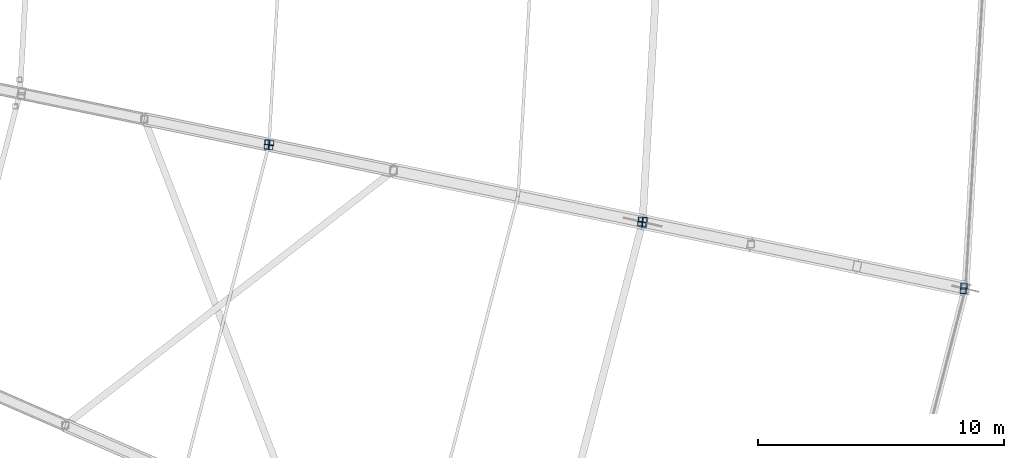
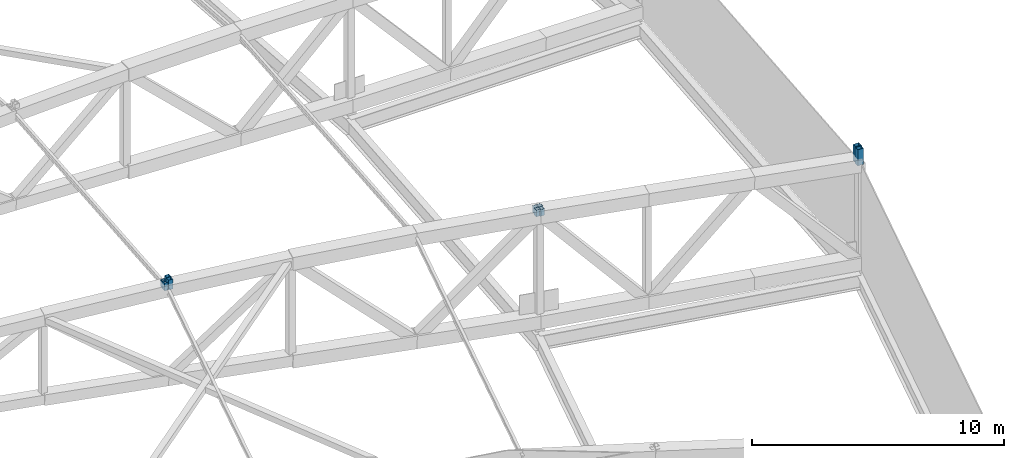
# One storey, part 119 of 162: 10 members.
"""IFC4 building model written with IfcOpenShell, lengths in metres."""

from ifc_helpers import new_model, si_unit, direction, frame, origin, origin_2d, place, context, subcontext, project, spatial, hollow_rectangle, extrude, material, material_profile, profile_set, type_object, element, save


model = new_model("IFC4")

# Units and contexts
model_context = context("Model", 3, precision=1e-05, world=origin(), true_north=direction((0.0, 1.0)))
body_context = subcontext(model_context, "Body", "Model", "MODEL_VIEW")
ifc_project = project(units=[si_unit("LENGTHUNIT", "METRE"), si_unit("AREAUNIT", "SQUARE_METRE"), si_unit("VOLUMEUNIT", "CUBIC_METRE"), si_unit("PLANEANGLEUNIT", "RADIAN"), si_unit("MASSUNIT", "GRAM", prefix="KILO")], contexts=[model_context])

# Site, building, storey
site_placement = place(None, origin())
site = spatial("IfcSite", under=ifc_project, at=site_placement, CompositionType="ELEMENT")
building_placement = place(site_placement, origin())
building = spatial("IfcBuilding", under=site, at=building_placement, Name="Kazemori Nagisa Stadium", CompositionType="ELEMENT")
storey_placement = place(building_placement, frame((0.0, 0.0, 36.719970703125)))
storey = spatial("IfcBuildingStorey", under=building, at=storey_placement, Name="RF", CompositionType="ELEMENT", Elevation=36.719970703125)

# Members
ifc_material = material(Name="Steel STKR490", Category="steel")
ifc_material_profile_1 = material_profile(ifc_material, hollow_rectangle(XDim=0.25, YDim=0.25, WallThickness=0.011962890625, at=origin_2d()), Name="SHS-250x250x12")
ifc_profile_set_1 = profile_set([ifc_material_profile_1], Name="Steel STKR490")
member_type_1 = type_object("IfcMemberType", Name="Member_ST-SHS250", PredefinedType="STUD", material=ifc_profile_set_1)
for number, where, z_axis, x_axis, name in (
    (1, (216.789794921875, 82.524169921875, 5.10009765625), (0.0, 0.0, 1.0), (1.0, 0.0, 0.0), "Canopy bearing stool B27-outer-2"),
    (2, (216.8203125, 82.7060546875, 5.10009765625), (0.0, 0.0, 1.0), (1.0, 0.0, 0.0), "Canopy bearing stool B28-outer-1"),
):
    element("IfcMember", number, at=place(storey_placement, frame(where, z_axis=z_axis, x_axis=x_axis)), inside=storey, type_object=member_type_1, Name=name, PredefinedType="STUD", context=body_context, shape_type="SweptSolid", body=[
        extrude(hollow_rectangle(XDim=0.25, YDim=0.25, WallThickness=0.011962890625, at=origin_2d()), origin(), (0.0, 0.0, 1.0), 0.77490234375),
    ])
ifc_material_profile_2 = material_profile(ifc_material, hollow_rectangle(XDim=0.199951171875, YDim=0.199951171875, WallThickness=0.009033203125, at=origin_2d()), Name="SHS-200x200x9")
ifc_profile_set_2 = profile_set([ifc_material_profile_2], Name="Steel STKR490")
member_type_2 = type_object("IfcMemberType", Name="Member_TS-SHS200", PredefinedType="STRUT", material=ifc_profile_set_2)
for number, where, z_axis, x_axis, name in (
    (3, (203.782958984375, 85.20703125, 5.56005859375), (0.0, 0.0, 1.0), (1.0, 0.0, 0.0), "Canopy bearing stool B27-outer-3"),
    (4, (203.6357421875, 85.25439453125, 5.56005859375), (0.0, 0.0, 1.0), (1.0, 0.0, 0.0), "Canopy bearing stool B27-mid-2"),
):
    element("IfcMember", number, at=place(storey_placement, frame(where, z_axis=z_axis, x_axis=x_axis)), inside=storey, type_object=member_type_2, Name=name, PredefinedType="STRUT", context=body_context, shape_type="SweptSolid", body=[
        extrude(hollow_rectangle(XDim=0.199951171875, YDim=0.199951171875, WallThickness=0.009033203125, at=origin_2d()), origin(), (0.0, 0.0, 1.0), 0.31494140625),
    ])
member_1_placement = place(storey_placement, frame((188.592041015625, 88.3583984375, 5.39794921875), z_axis=(0.0, 0.0, 1.0), x_axis=(1.0, 0.0, 0.0)))
element("IfcMember", 5, at=member_1_placement, inside=storey, type_object=member_type_2, Name="Canopy bearing stool B27-mid-3", PredefinedType="STRUT", context=body_context, shape_type="SweptSolid", body=[
    extrude(hollow_rectangle(XDim=0.199951171875, YDim=0.199951171875, WallThickness=0.009033203125, at=origin_2d()), origin(), (0.0, 0.0, 1.0), 0.47705078125),
])
member_2_placement = place(storey_placement, frame((188.43408203125, 88.38671875, 5.39794921875), z_axis=(0.0, 0.0, 1.0), x_axis=(1.0, 0.0, 0.0)))
element("IfcMember", 6, at=member_2_placement, inside=storey, type_object=member_type_2, Name="Canopy bearing stool B27-inner-2", PredefinedType="STRUT", context=body_context, shape_type="SweptSolid", body=[
    extrude(hollow_rectangle(XDim=0.199951171875, YDim=0.199951171875, WallThickness=0.009033203125, at=origin_2d()), origin(), (0.0, 0.0, 1.0), 0.369140625),
])
for number, where, z_axis, x_axis, name in (
    (7, (203.819091796875, 85.406005859375, 5.56005859375), (0.0, 0.0, 1.0), (1.0, 0.0, 0.0), "Canopy bearing stool B28-outer-4"),
    (8, (203.663330078125, 85.412353515625, 5.56005859375), (0.0, 0.0, 1.0), (1.0, 0.0, 0.0), "Canopy bearing stool B28-mid-1"),
):
    element("IfcMember", number, at=place(storey_placement, frame(where, z_axis=z_axis, x_axis=x_axis)), inside=storey, type_object=member_type_2, Name=name, PredefinedType="STRUT", context=body_context, shape_type="SweptSolid", body=[
        extrude(hollow_rectangle(XDim=0.199951171875, YDim=0.199951171875, WallThickness=0.009033203125, at=origin_2d()), origin(), (0.0, 0.0, 1.0), 0.31494140625),
    ])
member_3_placement = place(storey_placement, frame((188.625, 88.531982421875, 5.39794921875), z_axis=(0.0, 0.0, 1.0), x_axis=(1.0, 0.0, 0.0)))
element("IfcMember", 9, at=member_3_placement, inside=storey, type_object=member_type_2, Name="Canopy bearing stool B28-mid-4", PredefinedType="STRUT", context=body_context, shape_type="SweptSolid", body=[
    extrude(hollow_rectangle(XDim=0.199951171875, YDim=0.199951171875, WallThickness=0.009033203125, at=origin_2d()), origin(), (0.0, 0.0, 1.0), 0.47705078125),
])
member_4_placement = place(storey_placement, frame((188.463623046875, 88.561279296875, 5.39794921875), z_axis=(0.0, 0.0, 1.0), x_axis=(1.0, 0.0, 0.0)))
element("IfcMember", 10, at=member_4_placement, inside=storey, type_object=member_type_2, Name="Canopy bearing stool B28-inner-1", PredefinedType="STRUT", context=body_context, shape_type="SweptSolid", body=[
    extrude(hollow_rectangle(XDim=0.199951171875, YDim=0.199951171875, WallThickness=0.009033203125, at=origin_2d()), origin(), (0.0, 0.0, 1.0), 0.315185546875),
])

save(model, "model.ifc")
